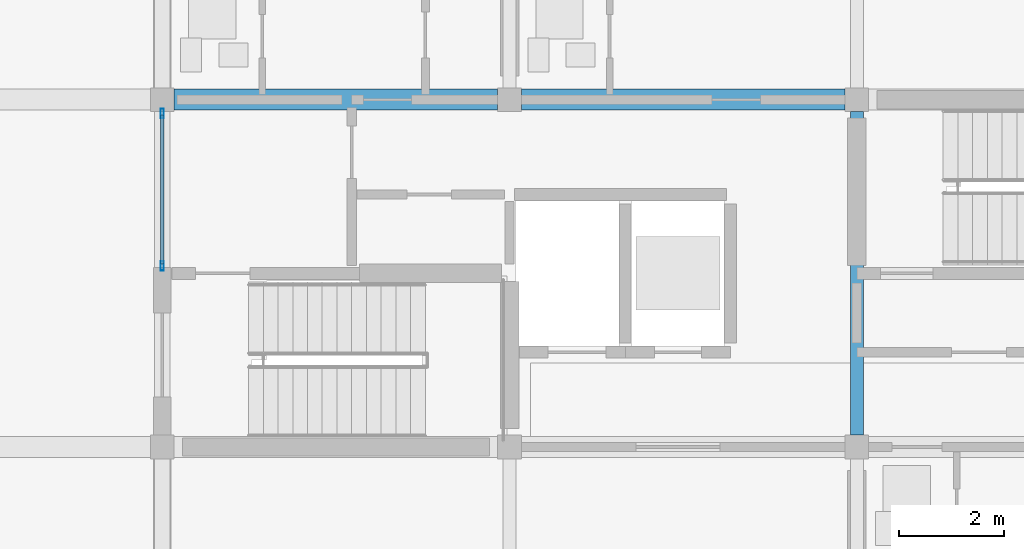
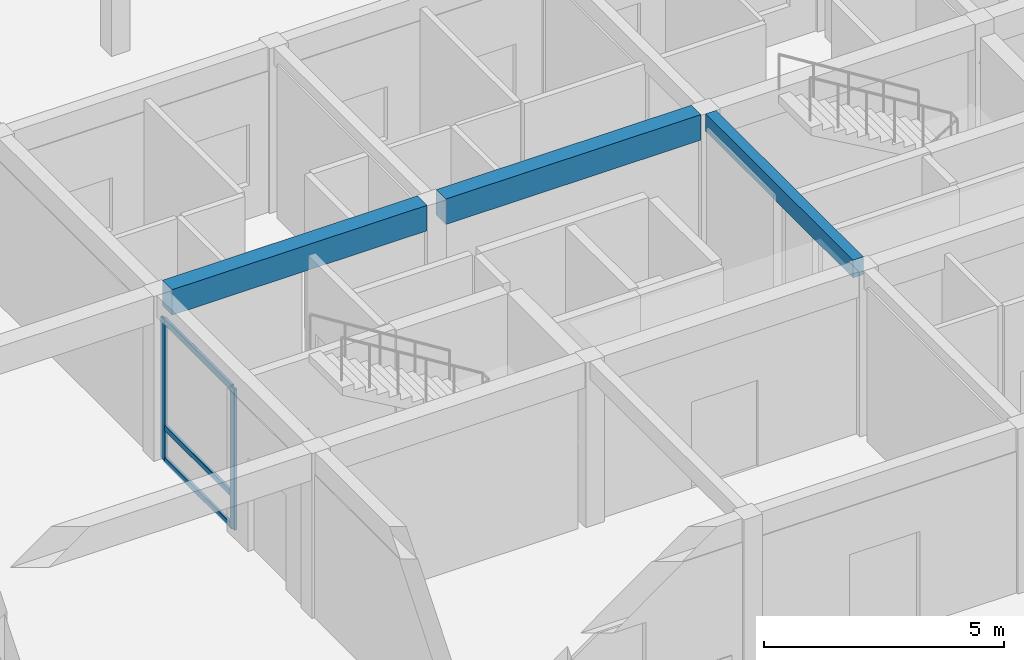
# One storey, part 10 of 75: 5 members, 3 beams, 1 element without a shape of its own.
"""IFC4 building model written with IfcOpenShell, lengths in metres."""

from ifc_helpers import new_model, si_unit, direction, frame, origin, origin_2d, place, context, subcontext, project, spatial, rectangle, hollow_rectangle, extrude, material, material_profile, profile_set, type_object, element, aggregate, save


model = new_model("IFC4")

# Units and contexts
model_context = context("Model", 3, precision=1e-05, world=origin(), true_north=direction((0.0, 1.0)))
body_context = subcontext(model_context, "Body", "Model", "MODEL_VIEW")
ifc_project = project(units=[si_unit("LENGTHUNIT", "METRE"), si_unit("AREAUNIT", "SQUARE_METRE"), si_unit("VOLUMEUNIT", "CUBIC_METRE"), si_unit("PLANEANGLEUNIT", "RADIAN"), si_unit("MASSUNIT", "GRAM", prefix="KILO")], contexts=[model_context])

# Site, building, storey
site_placement = place(None, origin())
site = spatial("IfcSite", under=ifc_project, at=site_placement, CompositionType="ELEMENT")
building_placement = place(site_placement, origin())
building = spatial("IfcBuilding", under=site, at=building_placement, Name="Kernevlak Ridge Housing Community", CompositionType="ELEMENT")
storey_placement = place(building_placement, origin())
storey = spatial("IfcBuildingStorey", under=building, at=storey_placement, Name="L00", CompositionType="ELEMENT", Elevation=0.0)

# Beams
ifc_material_1 = material(Name="Concrete C35/45", Category="concrete")
ifc_material_profile_1 = material_profile(ifc_material_1, rectangle(XDim=0.39990234375, YDim=0.64990234375, at=origin_2d()), Name="RC 400x650")
ifc_profile_set_1 = profile_set([ifc_material_profile_1], Name="Concrete C35/45")
beam_type_1 = type_object("IfcBeamType", Name="B-03", PredefinedType="T_BEAM", material=ifc_profile_set_1)
beam_1_placement = place(storey_placement, frame((15.824951171875, 28.800048828125, 3.875), z_axis=(1.0, 0.0, 0.0), x_axis=(0.0, 1.0, 0.0)))
element("IfcBeam", 1, at=beam_1_placement, inside=storey, type_object=beam_type_1, Name="Beam B-03 L00 1316", PredefinedType="T_BEAM", context=body_context, shape_type="SweptSolid", body=[
    extrude(rectangle(XDim=0.39990234375, YDim=0.64990234375, at=origin_2d()), origin(), (0.0, 0.0, 1.0), 6.150146484375),
])
beam_2_placement = place(storey_placement, frame((22.425048828125, 28.800048828125, 3.875), z_axis=(1.0, 0.0, 0.0), x_axis=(0.0, 1.0, 0.0)))
element("IfcBeam", 2, at=beam_2_placement, inside=storey, type_object=beam_type_1, Name="Beam B-03 L00 1317", PredefinedType="T_BEAM", context=body_context, shape_type="SweptSolid", body=[
    extrude(rectangle(XDim=0.39990234375, YDim=0.64990234375, at=origin_2d()), origin(), (0.0, 0.0, 1.0), 6.14990234375),
])
ifc_material_profile_2 = material_profile(ifc_material_1, rectangle(XDim=0.25, YDim=0.449951171875, at=origin_2d()), Name="RC 250x450")
ifc_profile_set_2 = profile_set([ifc_material_profile_2], Name="Concrete C35/45")
beam_type_2 = type_object("IfcBeamType", Name="B-04", PredefinedType="T_BEAM", material=ifc_profile_set_2)
beam_3_placement = place(storey_placement, frame((28.800048828125, 22.425048828125, 3.97509765625), z_axis=(0.0, 1.0, 0.0), x_axis=(-1.0, 0.0, 0.0)))
element("IfcBeam", 3, at=beam_3_placement, inside=storey, type_object=beam_type_2, Name="Beam B-04 L00 1330", PredefinedType="T_BEAM", context=body_context, shape_type="SweptSolid", body=[
    extrude(rectangle(XDim=0.25, YDim=0.449951171875, at=origin_2d()), origin(), (0.0, 0.0, 1.0), 6.14990234375),
])

# Curtain wall, members
ifc_material_2 = material(Name="Aluminium EN AW-6060 anodised and laminated glass", Category="aluminium")
curtain_wall_type = type_object("IfcCurtainWallType", Name="CW-02", PredefinedType="NOTDEFINED", material=ifc_material_2)
curtain_wall_placement = place(storey_placement, origin())
curtain_wall = element("IfcCurtainWall", 4, at=curtain_wall_placement, inside=storey, type_object=curtain_wall_type, Name="Curtain wall CW-02 CW-L00-140", PredefinedType="NOTDEFINED")
ifc_material_3 = material(Name="Aluminium EN AW-6060 anodised", Category="aluminium")
ifc_material_profile_3 = material_profile(ifc_material_3, hollow_rectangle(XDim=0.06494140625, YDim=0.179931640625, WallThickness=0.00439453125, InnerFilletRadius=0.001953125, OuterFilletRadius=0.00439453125, at=origin_2d()), Name="ALU 65x180x4.5")
ifc_profile_set_3 = profile_set([ifc_material_profile_3], Name="Aluminium EN AW-6060 anodised")
member_type_1 = type_object("IfcMemberType", Name="MU-03", PredefinedType="MULLION", material=ifc_profile_set_3)
member_1_placement = place(storey_placement, frame((15.60009765625, 25.642578125, 0.0), z_axis=(0.0, 0.0, 1.0), x_axis=(-1.0, 0.0, 0.0)))
member_1 = element("IfcMember", 5, at=member_1_placement, type_object=member_type_1, Name="CW-02 mullion 1", PredefinedType="MULLION", context=body_context, shape_type="SweptSolid", body=[
    extrude(hollow_rectangle(XDim=0.06494140625, YDim=0.179931640625, WallThickness=0.00439453125, InnerFilletRadius=0.001953125, OuterFilletRadius=0.00439453125, at=origin_2d()), origin(), (0.0, 0.0, 1.0), 3.60009765625),
])
member_2_placement = place(storey_placement, frame((15.60009765625, 28.54248046875, 0.0), z_axis=(0.0, 0.0, 1.0), x_axis=(-1.0, 0.0, 0.0)))
member_2 = element("IfcMember", 6, at=member_2_placement, type_object=member_type_1, Name="CW-02 mullion 2", PredefinedType="MULLION", context=body_context, shape_type="SweptSolid", body=[
    extrude(hollow_rectangle(XDim=0.06494140625, YDim=0.179931640625, WallThickness=0.00439453125, InnerFilletRadius=0.001953125, OuterFilletRadius=0.00439453125, at=origin_2d()), origin(), (0.0, 0.0, 1.0), 3.60009765625),
])
ifc_material_profile_4 = material_profile(ifc_material_3, hollow_rectangle(XDim=0.06494140625, YDim=0.139892578125, WallThickness=0.00390625, InnerFilletRadius=0.001953125, OuterFilletRadius=0.00390625, at=origin_2d()), Name="ALU 65x140x4")
ifc_profile_set_4 = profile_set([ifc_material_profile_4], Name="Aluminium EN AW-6060 anodised")
member_type_2 = type_object("IfcMemberType", Name="TM-03", PredefinedType="USERDEFINED", material=ifc_profile_set_4)
member_3_placement = place(storey_placement, frame((15.60009765625, 25.675048828125, 0.032470703125), z_axis=(0.0, 1.0, 0.0), x_axis=(-1.0, 0.0, 0.0)))
member_3 = element("IfcMember", 7, at=member_3_placement, type_object=member_type_2, Name="CW-02 transom 1.1", ObjectType="TRANSOM", PredefinedType="USERDEFINED", context=body_context, shape_type="SweptSolid", body=[
    extrude(hollow_rectangle(XDim=0.06494140625, YDim=0.139892578125, WallThickness=0.00390625, InnerFilletRadius=0.001953125, OuterFilletRadius=0.00390625, at=origin_2d()), origin(), (0.0, 0.0, 1.0), 2.8349609375),
])
member_4_placement = place(storey_placement, frame((15.60009765625, 25.675048828125, 0.85009765625), z_axis=(0.0, 1.0, 0.0), x_axis=(-1.0, 0.0, 0.0)))
member_4 = element("IfcMember", 8, at=member_4_placement, type_object=member_type_2, Name="CW-02 transom 1.2", ObjectType="TRANSOM", PredefinedType="USERDEFINED", context=body_context, shape_type="SweptSolid", body=[
    extrude(hollow_rectangle(XDim=0.06494140625, YDim=0.139892578125, WallThickness=0.00390625, InnerFilletRadius=0.001953125, OuterFilletRadius=0.00390625, at=origin_2d()), origin(), (0.0, 0.0, 1.0), 2.8349609375),
])
member_5_placement = place(storey_placement, frame((15.60009765625, 25.675048828125, 3.5673828125), z_axis=(0.0, 1.0, 0.0), x_axis=(-1.0, 0.0, 0.0)))
member_5 = element("IfcMember", 9, at=member_5_placement, type_object=member_type_2, Name="CW-02 transom 1.3", ObjectType="TRANSOM", PredefinedType="USERDEFINED", context=body_context, shape_type="SweptSolid", body=[
    extrude(hollow_rectangle(XDim=0.06494140625, YDim=0.139892578125, WallThickness=0.00390625, InnerFilletRadius=0.001953125, OuterFilletRadius=0.00390625, at=origin_2d()), origin(), (0.0, 0.0, 1.0), 2.8349609375),
])
aggregate(curtain_wall, [member_1, member_2, member_3, member_4, member_5])

save(model, "model.ifc")
